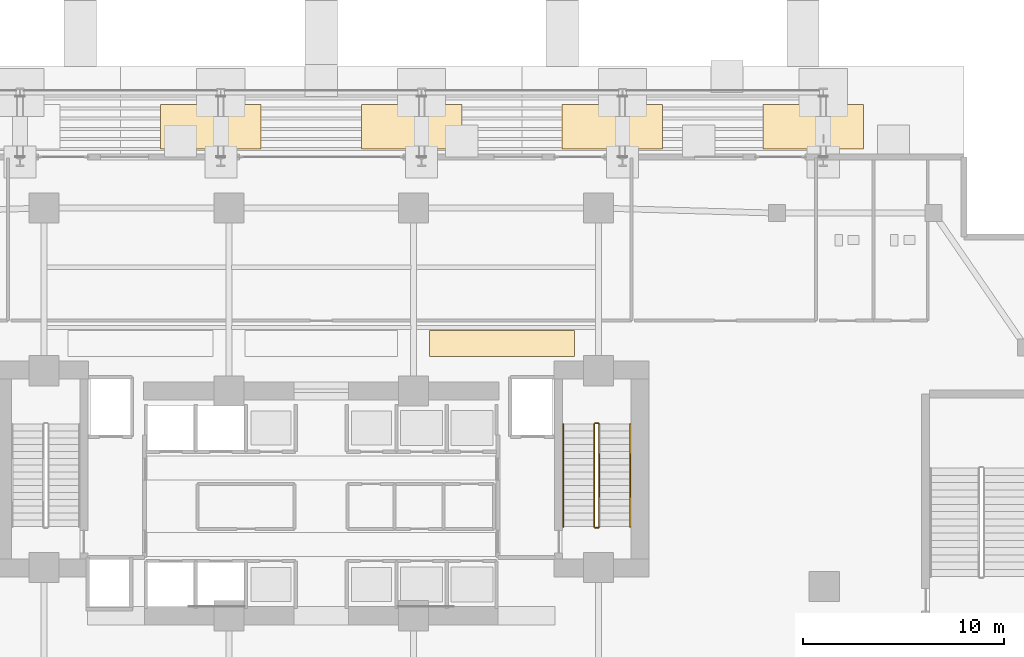
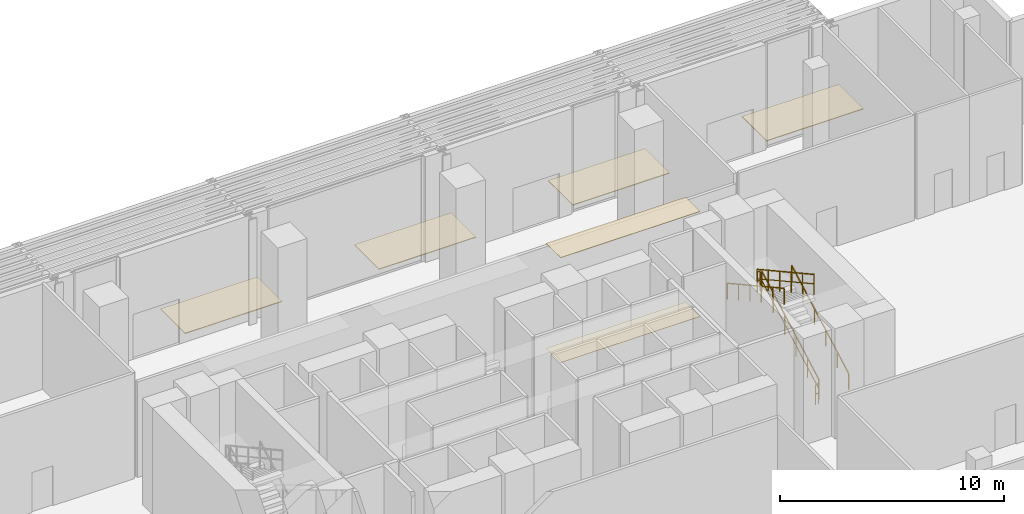
# One storey, part 36 of 39: 6 coverings, 6 railings.
"""IFC4 building model written with IfcOpenShell, lengths in metres."""

from ifc_helpers import new_model, si_unit, direction, frame, origin, origin_2d, place, context, subcontext, project, spatial, polyline, rectangle, outline, extrude, material, layer, layer_set, type_object, element, save


model = new_model("IFC4")

# Units and contexts
model_context = context("Model", 3, precision=1e-05, world=origin(), true_north=direction((0.0, 1.0)))
body_context = subcontext(model_context, "Body", "Model", "MODEL_VIEW")
ifc_project = project(units=[si_unit("LENGTHUNIT", "METRE"), si_unit("AREAUNIT", "SQUARE_METRE"), si_unit("VOLUMEUNIT", "CUBIC_METRE"), si_unit("PLANEANGLEUNIT", "RADIAN"), si_unit("MASSUNIT", "GRAM", prefix="KILO")], contexts=[model_context])

# Site, building, storey
site_placement = place(None, origin())
site = spatial("IfcSite", under=ifc_project, at=site_placement, CompositionType="ELEMENT")
building_placement = place(site_placement, origin())
building = spatial("IfcBuilding", under=site, at=building_placement, Name="Zuhayl Quay Hotel", CompositionType="ELEMENT")
storey_placement = place(building_placement, origin())
storey = spatial("IfcBuildingStorey", under=building, at=storey_placement, Name="L00", CompositionType="ELEMENT", Elevation=0.0)

# Coverings
ifc_material_1 = material(Name="Acoustic Mineral-Fibre Gypsum Board")
ifc_layer_1 = layer(ifc_material_1, 0.02490234375, Name="Acoustic Mineral-Fibre Gypsum Board")
ifc_layer_set_1 = layer_set([ifc_layer_1], Name="Acoustic Mineral-Fibre Gypsum Board")
covering_type_1 = type_object("IfcCoveringType", Name="CV_CEIL_ACOUSTIC", PredefinedType="CEILING", material=ifc_layer_set_1)
covering_1_placement = place(storey_placement, frame((0.0, 0.0, 5.72509765625)))
element("IfcCovering", 1, at=covering_1_placement, inside=storey, type_object=covering_type_1, Name="L00 Guest Corridor Acoustic Ceiling CE", PredefinedType="CEILING", context=body_context, shape_type="SweptSolid", body=[
    extrude(outline(polyline([(5.39990234375, 15.050048828125), (12.60009765625, 15.050048828125), (12.60009765625, 16.35009765625), (5.39990234375, 16.35009765625), (5.39990234375, 15.050048828125)])), origin(), (0.0, 0.0, 1.0), 0.02490234375),
])
ifc_material_2 = material(Name="Polished Limestone Terrazzo", Category="masonry")
ifc_layer_2 = layer(ifc_material_2, 0.02001953125, Name="Polished Limestone Terrazzo", Category="masonry")
ifc_layer_set_2 = layer_set([ifc_layer_2], Name="Polished Limestone Terrazzo")
covering_type_2 = type_object("IfcCoveringType", Name="CV_FLOOR_TERRAZZO", PredefinedType="FLOORING", material=ifc_layer_set_2)
covering_2_placement = place(storey_placement, origin())
element("IfcCovering", 2, at=covering_2_placement, inside=storey, type_object=covering_type_2, Name="L00 Guest Corridor Terrazzo Runner CE", PredefinedType="FLOORING", context=body_context, shape_type="SweptSolid", body=[
    extrude(outline(polyline([(5.39990234375, 15.050048828125), (12.60009765625, 15.050048828125), (12.60009765625, 16.35009765625), (5.39990234375, 16.35009765625), (5.39990234375, 15.050048828125)])), origin(), (0.0, 0.0, 1.0), 0.02001953125),
])
ifc_material_3 = material(Name="Flamed Granite Stone Pavers", Category="masonry")
ifc_layer_3 = layer(ifc_material_3, 0.0400390625, Name="Flamed Granite Stone Pavers", Category="masonry")
ifc_layer_set_3 = layer_set([ifc_layer_3], Name="Flamed Granite Stone Pavers")
covering_type_3 = type_object("IfcCoveringType", Name="CV_PROM_PAVING", PredefinedType="USERDEFINED", material=ifc_layer_set_3)
covering_3_placement = place(storey_placement, origin())
element("IfcCovering", 3, at=covering_3_placement, inside=storey, type_object=covering_type_3, Name="Waterfront Promenade Granite Paving Bay 3", ObjectType="PAVING", PredefinedType="USERDEFINED", context=body_context, shape_type="SweptSolid", body=[
    extrude(outline(polyline([(-8.0, 25.39990234375), (-3.0, 25.39990234375), (-3.0, 27.60009765625), (-8.0, 27.60009765625), (-8.0, 25.39990234375)])), origin(), (0.0, 0.0, 1.0), 0.0400390625),
])
covering_4_placement = place(storey_placement, origin())
element("IfcCovering", 4, at=covering_4_placement, inside=storey, type_object=covering_type_3, Name="Waterfront Promenade Granite Paving Bay 4", ObjectType="PAVING", PredefinedType="USERDEFINED", context=body_context, shape_type="SweptSolid", body=[
    extrude(outline(polyline([(2.0, 25.39990234375), (7.0, 25.39990234375), (7.0, 27.60009765625), (2.0, 27.60009765625), (2.0, 25.39990234375)])), origin(), (0.0, 0.0, 1.0), 0.0400390625),
])
covering_5_placement = place(storey_placement, origin())
element("IfcCovering", 5, at=covering_5_placement, inside=storey, type_object=covering_type_3, Name="Waterfront Promenade Granite Paving Bay 5", ObjectType="PAVING", PredefinedType="USERDEFINED", context=body_context, shape_type="SweptSolid", body=[
    extrude(outline(polyline([(12.0, 25.39990234375), (17.0, 25.39990234375), (17.0, 27.60009765625), (12.0, 27.60009765625), (12.0, 25.39990234375)])), origin(), (0.0, 0.0, 1.0), 0.0400390625),
])
covering_6_placement = place(storey_placement, origin())
element("IfcCovering", 6, at=covering_6_placement, inside=storey, type_object=covering_type_3, Name="Waterfront Promenade Granite Paving Bay 6", ObjectType="PAVING", PredefinedType="USERDEFINED", context=body_context, shape_type="SweptSolid", body=[
    extrude(outline(polyline([(22.0, 25.39990234375), (27.0, 25.39990234375), (27.0, 27.60009765625), (22.0, 27.60009765625), (22.0, 25.39990234375)])), origin(), (0.0, 0.0, 1.0), 0.0400390625),
])

# Railings
ifc_material_4 = material(Name="Steel ASTM A992 Grade 50", Category="steel")
railing_type_1 = type_object("IfcRailingType", Name="RL_GUARD_1100", PredefinedType="GUARDRAIL", material=ifc_material_4)
railing_1_placement = place(storey_placement, frame((13.840087890625, 6.590087890625, 0.1875)))
element("IfcRailing", 7, at=railing_1_placement, inside=storey, type_object=railing_type_1, Name="L00 ST2 stair guard 1", PredefinedType="GUARDRAIL", context=body_context, shape_type="SweptSolid", body=[
    extrude(rectangle(XDim=0.048095703125, YDim=0.048095703125, at=origin_2d()), frame((0.0, 0.0, 1.09619140625), z_axis=(0.0, 0.875665712831, 0.482917756322), x_axis=(-1.0, 0.0, 0.0)), (0.0, 0.0, 1.0), 5.823974609375),
    extrude(rectangle(XDim=0.0361328125, YDim=0.0361328125, at=origin_2d()), frame((0.0, 0.0, 0.58251953125), z_axis=(0.0, 0.875665712831, 0.482917756322), x_axis=(-1.0, 0.0, 0.0)), (0.0, 0.0, 1.0), 5.823974609375),
    extrude(rectangle(XDim=0.0419921875, YDim=0.0419921875, at=origin_2d()), origin(), (0.0, 0.0, 1.0), 1.072021484375),
    extrude(rectangle(XDim=0.0419921875, YDim=0.0419921875, at=origin_2d()), frame((0.0, 1.02001953125, 0.5625)), (0.0, 0.0, 1.0), 1.072021484375),
    extrude(rectangle(XDim=0.0419921875, YDim=0.0419921875, at=origin_2d()), frame((0.0, 2.0400390625, 1.125)), (0.0, 0.0, 1.0), 1.072021484375),
    extrude(rectangle(XDim=0.0419921875, YDim=0.0419921875, at=origin_2d()), frame((0.0, 3.059814453125, 1.6875)), (0.0, 0.0, 1.0), 1.072021484375),
    extrude(rectangle(XDim=0.0419921875, YDim=0.0419921875, at=origin_2d()), frame((0.0, 4.079833984375, 2.25)), (0.0, 0.0, 1.0), 1.072021484375),
    extrude(rectangle(XDim=0.0419921875, YDim=0.0419921875, at=origin_2d()), frame((0.0, 5.099853515625, 2.8125)), (0.0, 0.0, 1.0), 1.072021484375),
])
railing_2_placement = place(storey_placement, frame((13.7900390625, 11.739990234375, 3.0)))
element("IfcRailing", 8, at=railing_2_placement, inside=storey, type_object=railing_type_1, Name="L00 ST2 stair guard 2", PredefinedType="GUARDRAIL", context=body_context, shape_type="SweptSolid", body=[
    extrude(rectangle(XDim=0.048095703125, YDim=0.048095703125, at=origin_2d()), frame((0.0, 0.0, 1.09619140625), z_axis=(-1.0, 0.0, 0.0), x_axis=(0.0, -1.0, 0.0)), (0.0, 0.0, 1.0), 0.150146484375),
    extrude(rectangle(XDim=0.0361328125, YDim=0.0361328125, at=origin_2d()), frame((0.0, 0.0, 0.58251953125), z_axis=(-1.0, 0.0, 0.0), x_axis=(0.0, -1.0, 0.0)), (0.0, 0.0, 1.0), 0.150146484375),
    extrude(rectangle(XDim=0.0419921875, YDim=0.0419921875, at=origin_2d()), origin(), (0.0, 0.0, 1.0), 1.072021484375),
    extrude(rectangle(XDim=0.0419921875, YDim=0.0419921875, at=origin_2d()), frame((-0.150146484375, 0.0, 0.0)), (0.0, 0.0, 1.0), 1.072021484375),
])
railing_3_placement = place(storey_placement, frame((13.590087890625, 11.68994140625, 3.1875)))
element("IfcRailing", 9, at=railing_3_placement, inside=storey, type_object=railing_type_1, Name="L00 ST2 stair guard 3", PredefinedType="GUARDRAIL", context=body_context, shape_type="SweptSolid", body=[
    extrude(rectangle(XDim=0.048095703125, YDim=0.048095703125, at=origin_2d()), frame((0.0, 0.0, 1.09619140625), z_axis=(0.0, -0.875665712831, 0.482917756322), x_axis=(1.0, 0.0, 0.0)), (0.0, 0.0, 1.0), 5.823974609375),
    extrude(rectangle(XDim=0.0361328125, YDim=0.0361328125, at=origin_2d()), frame((0.0, 0.0, 0.58251953125), z_axis=(0.0, -0.875665712831, 0.482917756322), x_axis=(1.0, 0.0, 0.0)), (0.0, 0.0, 1.0), 5.823974609375),
    extrude(rectangle(XDim=0.0419921875, YDim=0.0419921875, at=origin_2d()), origin(), (0.0, 0.0, 1.0), 1.072021484375),
    extrude(rectangle(XDim=0.0419921875, YDim=0.0419921875, at=origin_2d()), frame((0.0, -1.02001953125, 0.5625)), (0.0, 0.0, 1.0), 1.072021484375),
    extrude(rectangle(XDim=0.0419921875, YDim=0.0419921875, at=origin_2d()), frame((0.0, -2.0400390625, 1.125)), (0.0, 0.0, 1.0), 1.072021484375),
    extrude(rectangle(XDim=0.0419921875, YDim=0.0419921875, at=origin_2d()), frame((0.0, -3.059814453125, 1.6875)), (0.0, 0.0, 1.0), 1.072021484375),
    extrude(rectangle(XDim=0.0419921875, YDim=0.0419921875, at=origin_2d()), frame((0.0, -4.079833984375, 2.25)), (0.0, 0.0, 1.0), 1.072021484375),
    extrude(rectangle(XDim=0.0419921875, YDim=0.0419921875, at=origin_2d()), frame((0.0, -5.099853515625, 2.8125)), (0.0, 0.0, 1.0), 1.072021484375),
])
railing_4_placement = place(storey_placement, frame((13.7900390625, 6.5400390625, 0.0)))
element("IfcRailing", 10, at=railing_4_placement, inside=storey, type_object=railing_type_1, Name="L00 ST2 stair guard 4", PredefinedType="GUARDRAIL", context=body_context, shape_type="SweptSolid", body=[
    extrude(rectangle(XDim=0.048095703125, YDim=0.048095703125, at=origin_2d()), frame((0.0, 0.0, 1.09619140625), z_axis=(-1.0, 0.0, 0.0), x_axis=(0.0, -1.0, 0.0)), (0.0, 0.0, 1.0), 0.150146484375),
    extrude(rectangle(XDim=0.0361328125, YDim=0.0361328125, at=origin_2d()), frame((0.0, 0.0, 0.58251953125), z_axis=(-1.0, 0.0, 0.0), x_axis=(0.0, -1.0, 0.0)), (0.0, 0.0, 1.0), 0.150146484375),
    extrude(rectangle(XDim=0.0419921875, YDim=0.0419921875, at=origin_2d()), origin(), (0.0, 0.0, 1.0), 1.072021484375),
    extrude(rectangle(XDim=0.0419921875, YDim=0.0419921875, at=origin_2d()), frame((-0.150146484375, 0.0, 0.0)), (0.0, 0.0, 1.0), 1.072021484375),
])
railing_type_2 = type_object("IfcRailingType", Name="RL_HANDRAIL_920", PredefinedType="HANDRAIL", material=ifc_material_4)
railing_5_placement = place(storey_placement, frame((15.3798828125, 6.590087890625, 0.1875)))
element("IfcRailing", 11, at=railing_5_placement, inside=storey, type_object=railing_type_2, Name="L00 ST2 stair handrail 1", PredefinedType="HANDRAIL", context=body_context, shape_type="SweptSolid", body=[
    extrude(rectangle(XDim=0.048095703125, YDim=0.048095703125, at=origin_2d()), frame((0.0, 0.0, 0.8759765625), z_axis=(0.0, 0.875665712831, 0.482917756322), x_axis=(-1.0, 0.0, 0.0)), (0.0, 0.0, 1.0), 5.823974609375),
    extrude(rectangle(XDim=0.0419921875, YDim=0.0419921875, at=origin_2d()), origin(), (0.0, 0.0, 1.0), 0.851806640625),
    extrude(rectangle(XDim=0.0419921875, YDim=0.0419921875, at=origin_2d()), frame((0.0, 1.02001953125, 0.5625)), (0.0, 0.0, 1.0), 0.851806640625),
    extrude(rectangle(XDim=0.0419921875, YDim=0.0419921875, at=origin_2d()), frame((0.0, 2.0400390625, 1.125)), (0.0, 0.0, 1.0), 0.851806640625),
    extrude(rectangle(XDim=0.0419921875, YDim=0.0419921875, at=origin_2d()), frame((0.0, 3.059814453125, 1.6875)), (0.0, 0.0, 1.0), 0.851806640625),
    extrude(rectangle(XDim=0.0419921875, YDim=0.0419921875, at=origin_2d()), frame((0.0, 4.079833984375, 2.25)), (0.0, 0.0, 1.0), 0.851806640625),
    extrude(rectangle(XDim=0.0419921875, YDim=0.0419921875, at=origin_2d()), frame((0.0, 5.099853515625, 2.8125)), (0.0, 0.0, 1.0), 0.851806640625),
])
railing_6_placement = place(storey_placement, frame((12.050048828125, 11.68994140625, 3.1875)))
element("IfcRailing", 12, at=railing_6_placement, inside=storey, type_object=railing_type_2, Name="L00 ST2 stair handrail 2", PredefinedType="HANDRAIL", context=body_context, shape_type="SweptSolid", body=[
    extrude(rectangle(XDim=0.048095703125, YDim=0.048095703125, at=origin_2d()), frame((0.0, 0.0, 0.8759765625), z_axis=(0.0, -0.875665712831, 0.482917756322), x_axis=(1.0, 0.0, 0.0)), (0.0, 0.0, 1.0), 5.823974609375),
    extrude(rectangle(XDim=0.0419921875, YDim=0.0419921875, at=origin_2d()), origin(), (0.0, 0.0, 1.0), 0.851806640625),
    extrude(rectangle(XDim=0.0419921875, YDim=0.0419921875, at=origin_2d()), frame((0.0, -1.02001953125, 0.5625)), (0.0, 0.0, 1.0), 0.851806640625),
    extrude(rectangle(XDim=0.0419921875, YDim=0.0419921875, at=origin_2d()), frame((0.0, -2.0400390625, 1.125)), (0.0, 0.0, 1.0), 0.851806640625),
    extrude(rectangle(XDim=0.0419921875, YDim=0.0419921875, at=origin_2d()), frame((0.0, -3.059814453125, 1.6875)), (0.0, 0.0, 1.0), 0.851806640625),
    extrude(rectangle(XDim=0.0419921875, YDim=0.0419921875, at=origin_2d()), frame((0.0, -4.079833984375, 2.25)), (0.0, 0.0, 1.0), 0.851806640625),
    extrude(rectangle(XDim=0.0419921875, YDim=0.0419921875, at=origin_2d()), frame((0.0, -5.099853515625, 2.8125)), (0.0, 0.0, 1.0), 0.851806640625),
])

save(model, "model.ifc")
